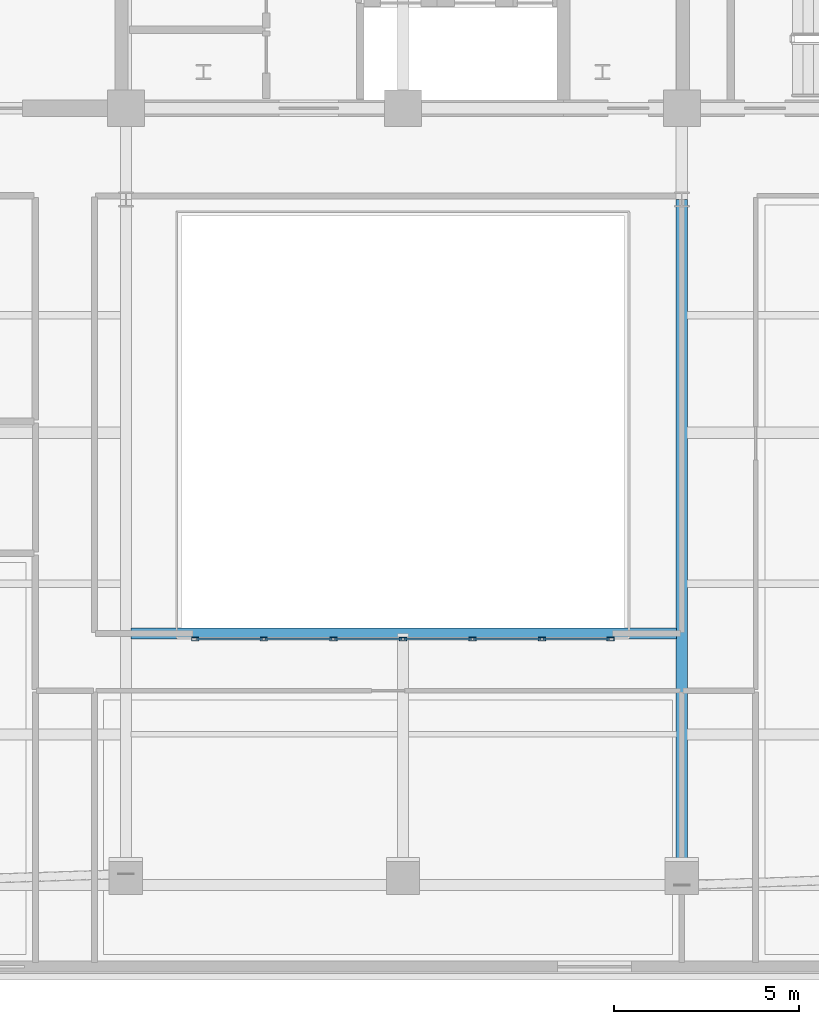
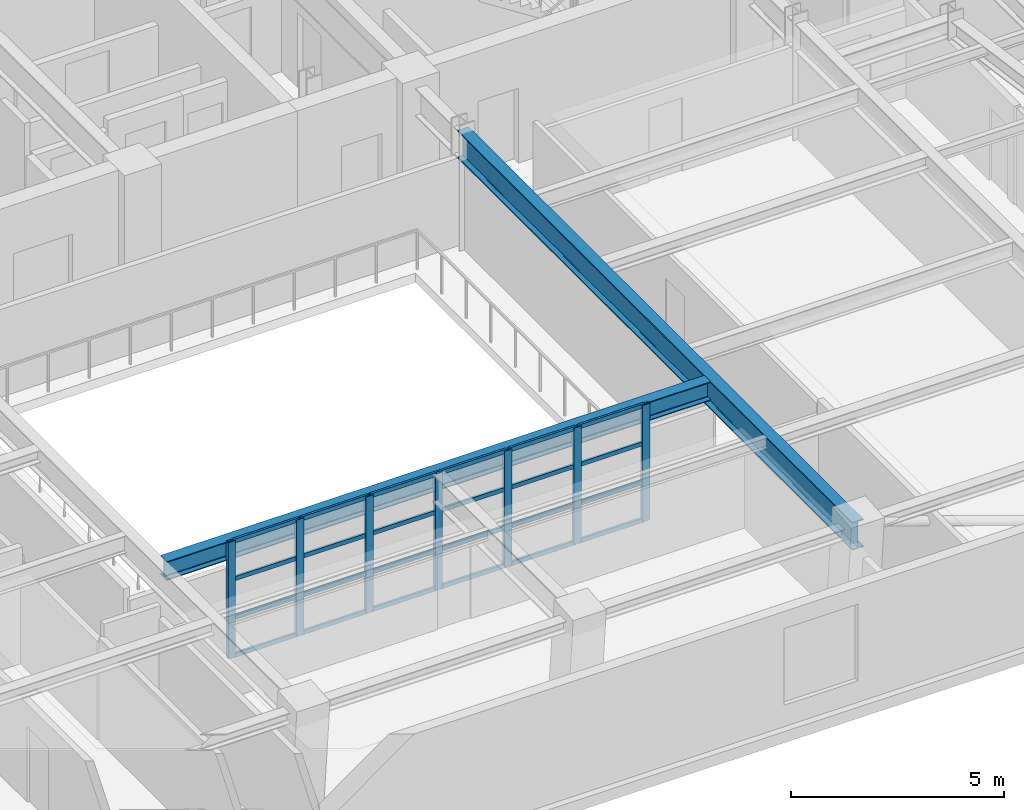
# One storey, part 2 of 14: 31 members, 2 beams, 1 element without a shape of its own.
"""IFC4 building model written with IfcOpenShell, lengths in metres."""

from ifc_helpers import new_model, si_unit, direction, frame, origin, origin_2d, place, context, subcontext, project, spatial, hollow_rectangle, i_section, extrude, material, layer, layer_set, material_profile, profile_set, type_object, element, aggregate, save


model = new_model("IFC4")

# Units and contexts
model_context = context("Model", 3, precision=1e-05, world=origin(), true_north=direction((0.0, 1.0)))
body_context = subcontext(model_context, "Body", "Model", "MODEL_VIEW")
ifc_project = project(units=[si_unit("LENGTHUNIT", "METRE"), si_unit("AREAUNIT", "SQUARE_METRE"), si_unit("VOLUMEUNIT", "CUBIC_METRE"), si_unit("PLANEANGLEUNIT", "RADIAN"), si_unit("MASSUNIT", "GRAM", prefix="KILO")], contexts=[model_context])

# Site, building, storey
site_placement = place(None, origin())
site = spatial("IfcSite", under=ifc_project, at=site_placement, CompositionType="ELEMENT")
building_placement = place(site_placement, origin())
building = spatial("IfcBuilding", under=site, at=building_placement, Name="Zarnavel Station Tower", CompositionType="ELEMENT")
storey_placement = place(building_placement, frame((0.0, 0.0, 211.199951171875)))
storey = spatial("IfcBuildingStorey", under=building, at=storey_placement, Name="L57", CompositionType="ELEMENT", Elevation=211.199951171875)

# Curtain wall, members
ifc_material_1 = material(Name="Aluminium Dark Anodised and Solar-Control Glass", Category="aluminium")
ifc_layer = layer(ifc_material_1, 0.179931640625)
ifc_layer_set = layer_set([ifc_layer], Name="CWS5")
curtain_wall_type = type_object("IfcCurtainWallType", Name="CWS5", PredefinedType="NOTDEFINED", material=ifc_layer_set)
curtain_wall_placement = place(storey_placement, origin())
curtain_wall = element("IfcCurtainWall", 1, at=curtain_wall_placement, inside=storey, type_object=curtain_wall_type, Name="L57 Curtain Wall CWS5-L57-AS", PredefinedType="NOTDEFINED")
ifc_material_2 = material(Name="Steel S355J2 (Black Fluoropolymer Coated)", Category="steel")
ifc_material_profile_1 = material_profile(ifc_material_2, hollow_rectangle(XDim=0.10009765625, YDim=0.199951171875, WallThickness=0.008056640625, at=origin_2d()), Name="RHS200x100x8")
ifc_profile_set_1 = profile_set([ifc_material_profile_1], Name="Steel S355J2 (Black Fluoropolymer Coated)")
member_type_1 = type_object("IfcMemberType", Name="CWS5_MUL", PredefinedType="MULLION", material=ifc_profile_set_1)
member_1_placement = place(storey_placement, frame((23.179931640625, 13.449951171875, 0.0), z_axis=(0.0, 0.0, 1.0), x_axis=(0.0, 1.0, 0.0)))
member_1 = element("IfcMember", 2, at=member_1_placement, type_object=member_type_1, Name="CW5 mullion 1", PredefinedType="MULLION", context=body_context, shape_type="SweptSolid", body=[
    extrude(hollow_rectangle(XDim=0.10009765625, YDim=0.199951171875, WallThickness=0.008056640625, at=origin_2d()), origin(), (0.0, 0.0, 1.0), 3.340087890625),
])
member_2_placement = place(storey_placement, frame((25.033447265625, 13.449951171875, 0.0), z_axis=(0.0, 0.0, 1.0), x_axis=(0.0, 1.0, 0.0)))
member_2 = element("IfcMember", 3, at=member_2_placement, type_object=member_type_1, Name="CW5 mullion 2", PredefinedType="MULLION", context=body_context, shape_type="SweptSolid", body=[
    extrude(hollow_rectangle(XDim=0.10009765625, YDim=0.199951171875, WallThickness=0.008056640625, at=origin_2d()), origin(), (0.0, 0.0, 1.0), 3.340087890625),
])
member_3_placement = place(storey_placement, frame((26.916748046875, 13.449951171875, 0.0), z_axis=(0.0, 0.0, 1.0), x_axis=(0.0, 1.0, 0.0)))
member_3 = element("IfcMember", 4, at=member_3_placement, type_object=member_type_1, Name="CW5 mullion 3", PredefinedType="MULLION", context=body_context, shape_type="SweptSolid", body=[
    extrude(hollow_rectangle(XDim=0.10009765625, YDim=0.199951171875, WallThickness=0.008056640625, at=origin_2d()), origin(), (0.0, 0.0, 1.0), 3.340087890625),
])
member_4_placement = place(storey_placement, frame((28.800048828125, 13.449951171875, 0.0), z_axis=(0.0, 0.0, 1.0), x_axis=(0.0, 1.0, 0.0)))
member_4 = element("IfcMember", 5, at=member_4_placement, type_object=member_type_1, Name="CW5 mullion 4", PredefinedType="MULLION", context=body_context, shape_type="SweptSolid", body=[
    extrude(hollow_rectangle(XDim=0.10009765625, YDim=0.199951171875, WallThickness=0.008056640625, at=origin_2d()), origin(), (0.0, 0.0, 1.0), 3.340087890625),
])
member_5_placement = place(storey_placement, frame((30.683349609375, 13.449951171875, 0.0), z_axis=(0.0, 0.0, 1.0), x_axis=(0.0, 1.0, 0.0)))
member_5 = element("IfcMember", 6, at=member_5_placement, type_object=member_type_1, Name="CW5 mullion 5", PredefinedType="MULLION", context=body_context, shape_type="SweptSolid", body=[
    extrude(hollow_rectangle(XDim=0.10009765625, YDim=0.199951171875, WallThickness=0.008056640625, at=origin_2d()), origin(), (0.0, 0.0, 1.0), 3.340087890625),
])
member_6_placement = place(storey_placement, frame((32.566650390625, 13.449951171875, 0.0), z_axis=(0.0, 0.0, 1.0), x_axis=(0.0, 1.0, 0.0)))
member_6 = element("IfcMember", 7, at=member_6_placement, type_object=member_type_1, Name="CW5 mullion 6", PredefinedType="MULLION", context=body_context, shape_type="SweptSolid", body=[
    extrude(hollow_rectangle(XDim=0.10009765625, YDim=0.199951171875, WallThickness=0.008056640625, at=origin_2d()), origin(), (0.0, 0.0, 1.0), 3.340087890625),
])
member_7_placement = place(storey_placement, frame((34.419921875, 13.449951171875, 0.0), z_axis=(0.0, 0.0, 1.0), x_axis=(0.0, 1.0, 0.0)))
member_7 = element("IfcMember", 8, at=member_7_placement, type_object=member_type_1, Name="CW5 mullion 7", PredefinedType="MULLION", context=body_context, shape_type="SweptSolid", body=[
    extrude(hollow_rectangle(XDim=0.10009765625, YDim=0.199951171875, WallThickness=0.008056640625, at=origin_2d()), origin(), (0.0, 0.0, 1.0), 3.340087890625),
])
ifc_material_3 = material(Name="Steel S355J2 (Black Fluoropolymer Coated)", Category="steel")
ifc_material_profile_2 = material_profile(ifc_material_3, hollow_rectangle(XDim=0.06005859375, YDim=0.1201171875, WallThickness=0.0048828125, at=origin_2d()), Name="RHS120x60x5")
ifc_profile_set_2 = profile_set([ifc_material_profile_2], Name="Steel S355J2 (Black Fluoropolymer Coated)")
member_type_2 = type_object("IfcMemberType", Name="CWS5_TRN", PredefinedType="USERDEFINED", material=ifc_profile_set_2)
member_8_placement = place(storey_placement, frame((23.2099609375, 13.449951171875, 0.030029296875), z_axis=(1.0, 0.0, 0.0), x_axis=(0.0, 1.0, 0.0)))
member_8 = element("IfcMember", 9, at=member_8_placement, type_object=member_type_2, Name="CW5 transom 1.1", ObjectType="TRANSOM", PredefinedType="USERDEFINED", context=body_context, shape_type="SweptSolid", body=[
    extrude(hollow_rectangle(XDim=0.06005859375, YDim=0.1201171875, WallThickness=0.0048828125, at=origin_2d()), origin(), (0.0, 0.0, 1.0), 1.79345703125),
])
member_9_placement = place(storey_placement, frame((23.2099609375, 13.449951171875, 1.11328125), z_axis=(1.0, 0.0, 0.0), x_axis=(0.0, 1.0, 0.0)))
member_9 = element("IfcMember", 10, at=member_9_placement, type_object=member_type_2, Name="CW5 transom 1.2", ObjectType="TRANSOM", PredefinedType="USERDEFINED", context=body_context, shape_type="SweptSolid", body=[
    extrude(hollow_rectangle(XDim=0.06005859375, YDim=0.1201171875, WallThickness=0.0048828125, at=origin_2d()), origin(), (0.0, 0.0, 1.0), 1.79345703125),
])
member_10_placement = place(storey_placement, frame((23.2099609375, 13.449951171875, 2.226806640625), z_axis=(1.0, 0.0, 0.0), x_axis=(0.0, 1.0, 0.0)))
member_10 = element("IfcMember", 11, at=member_10_placement, type_object=member_type_2, Name="CW5 transom 1.3", ObjectType="TRANSOM", PredefinedType="USERDEFINED", context=body_context, shape_type="SweptSolid", body=[
    extrude(hollow_rectangle(XDim=0.06005859375, YDim=0.1201171875, WallThickness=0.0048828125, at=origin_2d()), origin(), (0.0, 0.0, 1.0), 1.79345703125),
])
member_11_placement = place(storey_placement, frame((23.2099609375, 13.449951171875, 3.31005859375), z_axis=(1.0, 0.0, 0.0), x_axis=(0.0, 1.0, 0.0)))
member_11 = element("IfcMember", 12, at=member_11_placement, type_object=member_type_2, Name="CW5 transom 1.4", ObjectType="TRANSOM", PredefinedType="USERDEFINED", context=body_context, shape_type="SweptSolid", body=[
    extrude(hollow_rectangle(XDim=0.06005859375, YDim=0.1201171875, WallThickness=0.0048828125, at=origin_2d()), origin(), (0.0, 0.0, 1.0), 1.79345703125),
])
member_12_placement = place(storey_placement, frame((25.063232421875, 13.449951171875, 0.030029296875), z_axis=(1.0, 0.0, 0.0), x_axis=(0.0, 1.0, 0.0)))
member_12 = element("IfcMember", 13, at=member_12_placement, type_object=member_type_2, Name="CW5 transom 2.1", ObjectType="TRANSOM", PredefinedType="USERDEFINED", context=body_context, shape_type="SweptSolid", body=[
    extrude(hollow_rectangle(XDim=0.06005859375, YDim=0.1201171875, WallThickness=0.0048828125, at=origin_2d()), origin(), (0.0, 0.0, 1.0), 1.823486328125),
])
member_13_placement = place(storey_placement, frame((25.063232421875, 13.449951171875, 1.11328125), z_axis=(1.0, 0.0, 0.0), x_axis=(0.0, 1.0, 0.0)))
member_13 = element("IfcMember", 14, at=member_13_placement, type_object=member_type_2, Name="CW5 transom 2.2", ObjectType="TRANSOM", PredefinedType="USERDEFINED", context=body_context, shape_type="SweptSolid", body=[
    extrude(hollow_rectangle(XDim=0.06005859375, YDim=0.1201171875, WallThickness=0.0048828125, at=origin_2d()), origin(), (0.0, 0.0, 1.0), 1.823486328125),
])
member_14_placement = place(storey_placement, frame((25.063232421875, 13.449951171875, 2.226806640625), z_axis=(1.0, 0.0, 0.0), x_axis=(0.0, 1.0, 0.0)))
member_14 = element("IfcMember", 15, at=member_14_placement, type_object=member_type_2, Name="CW5 transom 2.3", ObjectType="TRANSOM", PredefinedType="USERDEFINED", context=body_context, shape_type="SweptSolid", body=[
    extrude(hollow_rectangle(XDim=0.06005859375, YDim=0.1201171875, WallThickness=0.0048828125, at=origin_2d()), origin(), (0.0, 0.0, 1.0), 1.823486328125),
])
member_15_placement = place(storey_placement, frame((25.063232421875, 13.449951171875, 3.31005859375), z_axis=(1.0, 0.0, 0.0), x_axis=(0.0, 1.0, 0.0)))
member_15 = element("IfcMember", 16, at=member_15_placement, type_object=member_type_2, Name="CW5 transom 2.4", ObjectType="TRANSOM", PredefinedType="USERDEFINED", context=body_context, shape_type="SweptSolid", body=[
    extrude(hollow_rectangle(XDim=0.06005859375, YDim=0.1201171875, WallThickness=0.0048828125, at=origin_2d()), origin(), (0.0, 0.0, 1.0), 1.823486328125),
])
member_16_placement = place(storey_placement, frame((26.94677734375, 13.449951171875, 0.030029296875), z_axis=(1.0, 0.0, 0.0), x_axis=(0.0, 1.0, 0.0)))
member_16 = element("IfcMember", 17, at=member_16_placement, type_object=member_type_2, Name="CW5 transom 3.1", ObjectType="TRANSOM", PredefinedType="USERDEFINED", context=body_context, shape_type="SweptSolid", body=[
    extrude(hollow_rectangle(XDim=0.06005859375, YDim=0.1201171875, WallThickness=0.0048828125, at=origin_2d()), origin(), (0.0, 0.0, 1.0), 1.8232421875),
])
member_17_placement = place(storey_placement, frame((26.94677734375, 13.449951171875, 1.11328125), z_axis=(1.0, 0.0, 0.0), x_axis=(0.0, 1.0, 0.0)))
member_17 = element("IfcMember", 18, at=member_17_placement, type_object=member_type_2, Name="CW5 transom 3.2", ObjectType="TRANSOM", PredefinedType="USERDEFINED", context=body_context, shape_type="SweptSolid", body=[
    extrude(hollow_rectangle(XDim=0.06005859375, YDim=0.1201171875, WallThickness=0.0048828125, at=origin_2d()), origin(), (0.0, 0.0, 1.0), 1.8232421875),
])
member_18_placement = place(storey_placement, frame((26.94677734375, 13.449951171875, 2.226806640625), z_axis=(1.0, 0.0, 0.0), x_axis=(0.0, 1.0, 0.0)))
member_18 = element("IfcMember", 19, at=member_18_placement, type_object=member_type_2, Name="CW5 transom 3.3", ObjectType="TRANSOM", PredefinedType="USERDEFINED", context=body_context, shape_type="SweptSolid", body=[
    extrude(hollow_rectangle(XDim=0.06005859375, YDim=0.1201171875, WallThickness=0.0048828125, at=origin_2d()), origin(), (0.0, 0.0, 1.0), 1.8232421875),
])
member_19_placement = place(storey_placement, frame((26.94677734375, 13.449951171875, 3.31005859375), z_axis=(1.0, 0.0, 0.0), x_axis=(0.0, 1.0, 0.0)))
member_19 = element("IfcMember", 20, at=member_19_placement, type_object=member_type_2, Name="CW5 transom 3.4", ObjectType="TRANSOM", PredefinedType="USERDEFINED", context=body_context, shape_type="SweptSolid", body=[
    extrude(hollow_rectangle(XDim=0.06005859375, YDim=0.1201171875, WallThickness=0.0048828125, at=origin_2d()), origin(), (0.0, 0.0, 1.0), 1.8232421875),
])
member_20_placement = place(storey_placement, frame((28.830078125, 13.449951171875, 0.030029296875), z_axis=(1.0, 0.0, 0.0), x_axis=(0.0, 1.0, 0.0)))
member_20 = element("IfcMember", 21, at=member_20_placement, type_object=member_type_2, Name="CW5 transom 4.1", ObjectType="TRANSOM", PredefinedType="USERDEFINED", context=body_context, shape_type="SweptSolid", body=[
    extrude(hollow_rectangle(XDim=0.06005859375, YDim=0.1201171875, WallThickness=0.0048828125, at=origin_2d()), origin(), (0.0, 0.0, 1.0), 1.8232421875),
])
member_21_placement = place(storey_placement, frame((28.830078125, 13.449951171875, 1.11328125), z_axis=(1.0, 0.0, 0.0), x_axis=(0.0, 1.0, 0.0)))
member_21 = element("IfcMember", 22, at=member_21_placement, type_object=member_type_2, Name="CW5 transom 4.2", ObjectType="TRANSOM", PredefinedType="USERDEFINED", context=body_context, shape_type="SweptSolid", body=[
    extrude(hollow_rectangle(XDim=0.06005859375, YDim=0.1201171875, WallThickness=0.0048828125, at=origin_2d()), origin(), (0.0, 0.0, 1.0), 1.8232421875),
])
member_22_placement = place(storey_placement, frame((28.830078125, 13.449951171875, 2.226806640625), z_axis=(1.0, 0.0, 0.0), x_axis=(0.0, 1.0, 0.0)))
member_22 = element("IfcMember", 23, at=member_22_placement, type_object=member_type_2, Name="CW5 transom 4.3", ObjectType="TRANSOM", PredefinedType="USERDEFINED", context=body_context, shape_type="SweptSolid", body=[
    extrude(hollow_rectangle(XDim=0.06005859375, YDim=0.1201171875, WallThickness=0.0048828125, at=origin_2d()), origin(), (0.0, 0.0, 1.0), 1.8232421875),
])
member_23_placement = place(storey_placement, frame((28.830078125, 13.449951171875, 3.31005859375), z_axis=(1.0, 0.0, 0.0), x_axis=(0.0, 1.0, 0.0)))
member_23 = element("IfcMember", 24, at=member_23_placement, type_object=member_type_2, Name="CW5 transom 4.4", ObjectType="TRANSOM", PredefinedType="USERDEFINED", context=body_context, shape_type="SweptSolid", body=[
    extrude(hollow_rectangle(XDim=0.06005859375, YDim=0.1201171875, WallThickness=0.0048828125, at=origin_2d()), origin(), (0.0, 0.0, 1.0), 1.8232421875),
])
member_24_placement = place(storey_placement, frame((30.71337890625, 13.449951171875, 0.030029296875), z_axis=(1.0, 0.0, 0.0), x_axis=(0.0, 1.0, 0.0)))
member_24 = element("IfcMember", 25, at=member_24_placement, type_object=member_type_2, Name="CW5 transom 5.1", ObjectType="TRANSOM", PredefinedType="USERDEFINED", context=body_context, shape_type="SweptSolid", body=[
    extrude(hollow_rectangle(XDim=0.06005859375, YDim=0.1201171875, WallThickness=0.0048828125, at=origin_2d()), origin(), (0.0, 0.0, 1.0), 1.8232421875),
])
member_25_placement = place(storey_placement, frame((30.71337890625, 13.449951171875, 1.11328125), z_axis=(1.0, 0.0, 0.0), x_axis=(0.0, 1.0, 0.0)))
member_25 = element("IfcMember", 26, at=member_25_placement, type_object=member_type_2, Name="CW5 transom 5.2", ObjectType="TRANSOM", PredefinedType="USERDEFINED", context=body_context, shape_type="SweptSolid", body=[
    extrude(hollow_rectangle(XDim=0.06005859375, YDim=0.1201171875, WallThickness=0.0048828125, at=origin_2d()), origin(), (0.0, 0.0, 1.0), 1.8232421875),
])
member_26_placement = place(storey_placement, frame((30.71337890625, 13.449951171875, 2.226806640625), z_axis=(1.0, 0.0, 0.0), x_axis=(0.0, 1.0, 0.0)))
member_26 = element("IfcMember", 27, at=member_26_placement, type_object=member_type_2, Name="CW5 transom 5.3", ObjectType="TRANSOM", PredefinedType="USERDEFINED", context=body_context, shape_type="SweptSolid", body=[
    extrude(hollow_rectangle(XDim=0.06005859375, YDim=0.1201171875, WallThickness=0.0048828125, at=origin_2d()), origin(), (0.0, 0.0, 1.0), 1.8232421875),
])
member_27_placement = place(storey_placement, frame((30.71337890625, 13.449951171875, 3.31005859375), z_axis=(1.0, 0.0, 0.0), x_axis=(0.0, 1.0, 0.0)))
member_27 = element("IfcMember", 28, at=member_27_placement, type_object=member_type_2, Name="CW5 transom 5.4", ObjectType="TRANSOM", PredefinedType="USERDEFINED", context=body_context, shape_type="SweptSolid", body=[
    extrude(hollow_rectangle(XDim=0.06005859375, YDim=0.1201171875, WallThickness=0.0048828125, at=origin_2d()), origin(), (0.0, 0.0, 1.0), 1.8232421875),
])
member_28_placement = place(storey_placement, frame((32.5966796875, 13.449951171875, 0.030029296875), z_axis=(1.0, 0.0, 0.0), x_axis=(0.0, 1.0, 0.0)))
member_28 = element("IfcMember", 29, at=member_28_placement, type_object=member_type_2, Name="CW5 transom 6.1", ObjectType="TRANSOM", PredefinedType="USERDEFINED", context=body_context, shape_type="SweptSolid", body=[
    extrude(hollow_rectangle(XDim=0.06005859375, YDim=0.1201171875, WallThickness=0.0048828125, at=origin_2d()), origin(), (0.0, 0.0, 1.0), 1.793212890625),
])
member_29_placement = place(storey_placement, frame((32.5966796875, 13.449951171875, 1.11328125), z_axis=(1.0, 0.0, 0.0), x_axis=(0.0, 1.0, 0.0)))
member_29 = element("IfcMember", 30, at=member_29_placement, type_object=member_type_2, Name="CW5 transom 6.2", ObjectType="TRANSOM", PredefinedType="USERDEFINED", context=body_context, shape_type="SweptSolid", body=[
    extrude(hollow_rectangle(XDim=0.06005859375, YDim=0.1201171875, WallThickness=0.0048828125, at=origin_2d()), origin(), (0.0, 0.0, 1.0), 1.793212890625),
])
member_30_placement = place(storey_placement, frame((32.5966796875, 13.449951171875, 2.226806640625), z_axis=(1.0, 0.0, 0.0), x_axis=(0.0, 1.0, 0.0)))
member_30 = element("IfcMember", 31, at=member_30_placement, type_object=member_type_2, Name="CW5 transom 6.3", ObjectType="TRANSOM", PredefinedType="USERDEFINED", context=body_context, shape_type="SweptSolid", body=[
    extrude(hollow_rectangle(XDim=0.06005859375, YDim=0.1201171875, WallThickness=0.0048828125, at=origin_2d()), origin(), (0.0, 0.0, 1.0), 1.793212890625),
])
member_31_placement = place(storey_placement, frame((32.5966796875, 13.449951171875, 3.31005859375), z_axis=(1.0, 0.0, 0.0), x_axis=(0.0, 1.0, 0.0)))
member_31 = element("IfcMember", 32, at=member_31_placement, type_object=member_type_2, Name="CW5 transom 6.4", ObjectType="TRANSOM", PredefinedType="USERDEFINED", context=body_context, shape_type="SweptSolid", body=[
    extrude(hollow_rectangle(XDim=0.06005859375, YDim=0.1201171875, WallThickness=0.0048828125, at=origin_2d()), origin(), (0.0, 0.0, 1.0), 1.793212890625),
])
aggregate(curtain_wall, [member_1, member_2, member_3, member_4, member_5, member_6, member_7, member_8, member_9, member_10, member_11, member_12, member_13, member_14, member_15, member_16, member_17, member_18, member_19, member_20, member_21, member_22, member_23, member_24, member_25, member_26, member_27, member_28, member_29, member_30, member_31])

# Beams
ifc_material_4 = material(Name="Steel S355J2", Category="steel")
ifc_material_profile_3 = material_profile(ifc_material_4, i_section(OverallWidth=0.300048828125, OverallDepth=0.5400390625, WebThickness=0.012451171875, FlangeThickness=0.02392578125, FilletRadius=0.027099609375, at=origin_2d()), Name="HEA550")
ifc_profile_set_3 = profile_set([ifc_material_profile_3], Name="Steel S355J2")
beam_type_1 = type_object("IfcBeamType", Name="FB_HEA550", PredefinedType="BEAM", material=ifc_profile_set_3)
beam_1_placement = place(storey_placement, frame((21.445068359375, 13.60009765625, 3.070068359375), z_axis=(1.0, 0.0, 0.0), x_axis=(0.0, 1.0, 0.0)))
element("IfcBeam", 33, at=beam_1_placement, inside=storey, type_object=beam_type_1, Name="L57 Atrium South Edge Girder", PredefinedType="BEAM", context=body_context, shape_type="SweptSolid", body=[
    extrude(i_section(OverallWidth=0.300048828125, OverallDepth=0.5400390625, WebThickness=0.012451171875, FlangeThickness=0.02392578125, FilletRadius=0.027099609375, at=origin_2d()), origin(), (0.0, 0.0, 1.0), 14.760009765625),
])
ifc_material_5 = material(Name="Steel S355J2", Category="steel")
ifc_material_profile_4 = material_profile(ifc_material_5, i_section(OverallWidth=0.300048828125, OverallDepth=0.800048828125, WebThickness=0.017578125, FlangeThickness=0.032958984375, FilletRadius=0.030029296875, at=origin_2d()), Name="HEB800")
ifc_profile_set_4 = profile_set([ifc_material_profile_4], Name="Steel S355J2")
beam_type_2 = type_object("IfcBeamType", Name="FG_HEB800", PredefinedType="USERDEFINED", material=ifc_profile_set_4)
beam_2_placement = place(storey_placement, frame((36.35009765625, 6.786376953125, 2.93994140625), z_axis=(0.0, 1.0, 0.0), x_axis=(-1.0, 0.0, 0.0)))
element("IfcBeam", 34, at=beam_2_placement, inside=storey, type_object=beam_type_2, Name="L57 South-Zone NS Girder 4", ObjectType="GIRDER", PredefinedType="USERDEFINED", context=body_context, shape_type="SweptSolid", body=[
    extrude(i_section(OverallWidth=0.300048828125, OverallDepth=0.800048828125, WebThickness=0.017578125, FlangeThickness=0.032958984375, FilletRadius=0.030029296875, at=origin_2d()), origin(), (0.0, 0.0, 1.0), 18.563720703125),
])

save(model, "model.ifc")
